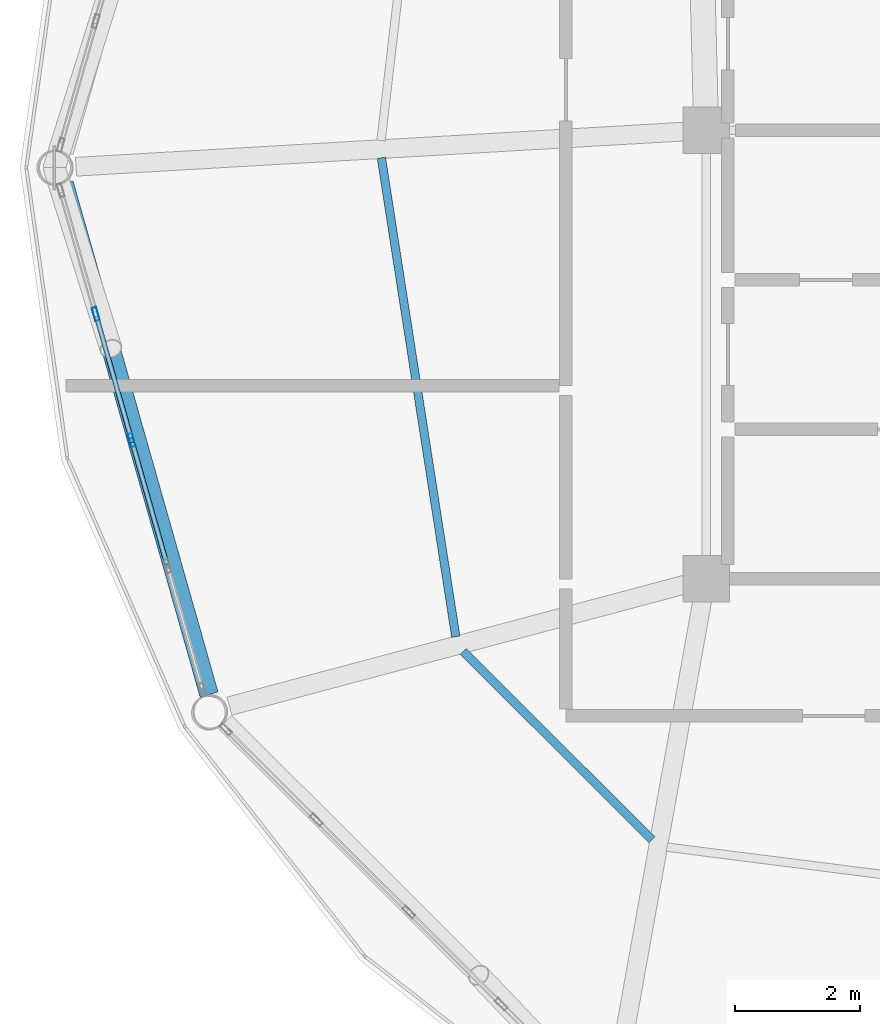
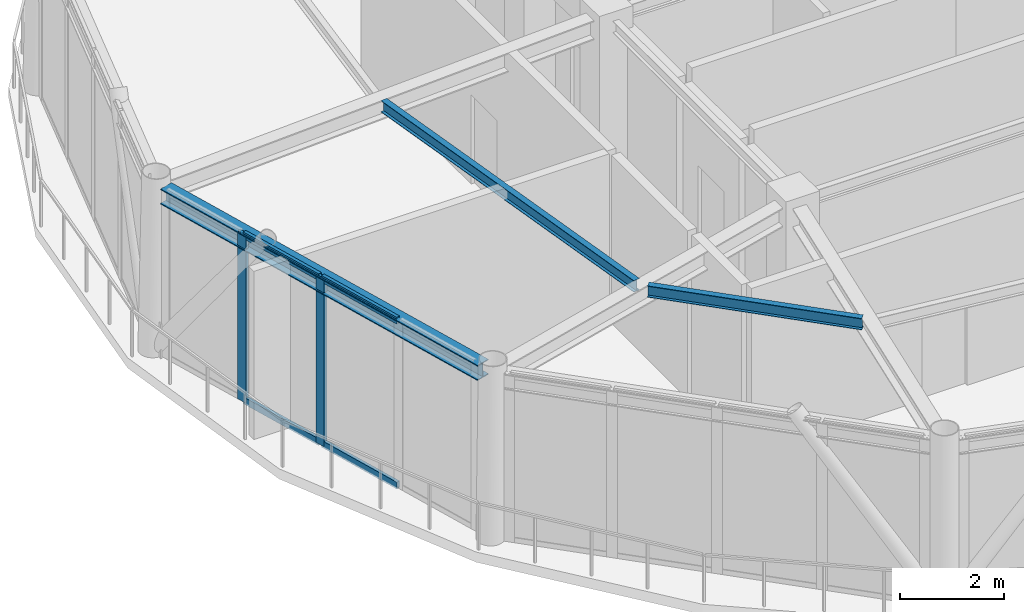
# One storey, part 4 of 21: 6 members, 3 beams, 1 element without a shape of its own.
"""IFC4 building model written with IfcOpenShell, lengths in metres."""

from ifc_helpers import new_model, si_unit, direction, frame, origin, origin_2d, place, context, subcontext, project, spatial, hollow_rectangle, i_section, extrude, material, layer, layer_set, material_profile, profile_set, type_object, element, aggregate, save


model = new_model("IFC4")

# Units and contexts
model_context = context("Model", 3, precision=1e-05, world=origin(), true_north=direction((0.0, 1.0)))
body_context = subcontext(model_context, "Body", "Model", "MODEL_VIEW")
ifc_project = project(units=[si_unit("LENGTHUNIT", "METRE"), si_unit("AREAUNIT", "SQUARE_METRE"), si_unit("VOLUMEUNIT", "CUBIC_METRE"), si_unit("PLANEANGLEUNIT", "RADIAN"), si_unit("MASSUNIT", "GRAM", prefix="KILO")], contexts=[model_context])

# Site, building, storey
site_placement = place(None, origin())
site = spatial("IfcSite", under=ifc_project, at=site_placement, CompositionType="ELEMENT")
building_placement = place(site_placement, origin())
building = spatial("IfcBuilding", under=site, at=building_placement, Name="Varnakorn Sky Granary", CompositionType="ELEMENT")
storey_placement = place(building_placement, frame((0.0, 0.0, 294.0)))
storey = spatial("IfcBuildingStorey", under=building, at=storey_placement, Name="L75", CompositionType="ELEMENT", Elevation=294.0)

# Beams
ifc_material_1 = material(Name="Steel S355JR", Category="steel")
ifc_material_profile_1 = material_profile(ifc_material_1, i_section(OverallWidth=0.135009765625, OverallDepth=0.27001953125, WebThickness=0.006591796875, FlangeThickness=0.01025390625, at=origin_2d()), Name="IPE 270")
ifc_profile_set_1 = profile_set([ifc_material_profile_1], Name="Steel S355JR")
beam_type_1 = type_object("IfcBeamType", Name="BM-SEC-Z5", PredefinedType="BEAM", material=ifc_profile_set_1)
beam_1_placement = place(storey_placement, frame((-7.563232421875, 0.1591796875, 3.824951171875), z_axis=(0.153540196151, -0.988142402777, 0.0), x_axis=(0.988142402777, 0.153540196151, 0.0)))
element("IfcBeam", 1, at=beam_1_placement, inside=storey, type_object=beam_type_1, Name="Secondary Floor Chord Beam MSB07 L75", PredefinedType="BEAM", context=body_context, shape_type="SweptSolid", body=[
    extrude(i_section(OverallWidth=0.135009765625, OverallDepth=0.27001953125, WebThickness=0.006591796875, FlangeThickness=0.01025390625, at=origin_2d()), origin(), (0.0, 0.0, 1.0), 7.7802734375),
])
beam_2_placement = place(storey_placement, frame((-6.248046875, -7.76611328125, 3.824951171875), z_axis=(0.707876350734, -0.706336373176, 0.0), x_axis=(0.706336373176, 0.707876350734, 0.0)))
element("IfcBeam", 2, at=beam_2_placement, inside=storey, type_object=beam_type_1, Name="Secondary Floor Chord Beam MSB08 L75", PredefinedType="BEAM", context=body_context, shape_type="SweptSolid", body=[
    extrude(i_section(OverallWidth=0.135009765625, OverallDepth=0.27001953125, WebThickness=0.006591796875, FlangeThickness=0.01025390625, at=origin_2d()), origin(), (0.0, 0.0, 1.0), 4.280517578125),
])
ifc_material_profile_2 = material_profile(ifc_material_1, i_section(OverallWidth=0.300048828125, OverallDepth=0.360107421875, WebThickness=0.012451171875, FlangeThickness=0.0224609375, at=origin_2d()), Name="HE 360 B")
ifc_profile_set_2 = profile_set([ifc_material_profile_2], Name="Steel S355JR")
beam_type_2 = type_object("IfcBeamType", Name="BM-SPD-Z5", PredefinedType="SPANDREL", material=ifc_profile_set_2)
beam_3_placement = place(storey_placement, frame((-12.65673828125, -0.25439453125, 3.780029296875), z_axis=(0.273003685575, -0.962012987263, 0.0), x_axis=(0.962012987263, 0.273003685575, 0.0)))
element("IfcBeam", 3, at=beam_3_placement, inside=storey, type_object=beam_type_2, Name="Perimeter Spandrel Ring Beam RB07 L75", PredefinedType="SPANDREL", context=body_context, shape_type="SweptSolid", body=[
    extrude(i_section(OverallWidth=0.300048828125, OverallDepth=0.360107421875, WebThickness=0.012451171875, FlangeThickness=0.0224609375, at=origin_2d()), origin(), (0.0, 0.0, 1.0), 8.526123046875),
])

# Curtain wall, members
ifc_material_2 = material(Name="Anodised Bronze Aluminium Alloy 6063-T6", Category="aluminium")
ifc_layer = layer(ifc_material_2, 0.22998046875, Name="Anodised Bronze Aluminium Alloy 6063-T6")
ifc_layer_set = layer_set([ifc_layer], Name="Anodised Bronze Aluminium Alloy 6063-T6")
curtain_wall_type = type_object("IfcCurtainWallType", Name="CW-LNT-1", PredefinedType="USERDEFINED", material=ifc_layer_set)
curtain_wall_placement = place(storey_placement, origin())
curtain_wall = element("IfcCurtainWall", 4, at=curtain_wall_placement, inside=storey, type_object=curtain_wall_type, Name="Unitised Curtain Wall CW7 CW-L75-B07", ObjectType="CURTAIN WALL", PredefinedType="USERDEFINED")
ifc_material_profile_3 = material_profile(ifc_material_2, hollow_rectangle(XDim=0.074951171875, YDim=0.219970703125, WallThickness=0.00390625, at=origin_2d()), Name="ALU MULL 75x220")
ifc_profile_set_3 = profile_set([ifc_material_profile_3], Name="Anodised Bronze Aluminium Alloy 6063-T6")
member_type_1 = type_object("IfcMemberType", Name="CW-LNT-1-MULL", PredefinedType="MULLION", material=ifc_profile_set_3)
member_1_placement = place(storey_placement, frame((-11.572265625, -4.37353515625, 0.0), z_axis=(0.0, 0.0, 1.0), x_axis=(-0.961978305633, -0.273125867489, 0.0)))
member_1 = element("IfcMember", 5, at=member_1_placement, type_object=member_type_1, Name="CW7 mullion 3", PredefinedType="MULLION", context=body_context, shape_type="SweptSolid", body=[
    extrude(hollow_rectangle(XDim=0.074951171875, YDim=0.219970703125, WallThickness=0.00390625, at=origin_2d()), origin(), (0.0, 0.0, 1.0), 3.9599609375),
])
member_2_placement = place(storey_placement, frame((-12.146728515625, -2.35009765625, 0.0), z_axis=(0.0, 0.0, 1.0), x_axis=(-0.961978305633, -0.273125867489, 0.0)))
member_2 = element("IfcMember", 6, at=member_2_placement, type_object=member_type_1, Name="CW7 mullion 4", PredefinedType="MULLION", context=body_context, shape_type="SweptSolid", body=[
    extrude(hollow_rectangle(XDim=0.074951171875, YDim=0.219970703125, WallThickness=0.00390625, at=origin_2d()), origin(), (0.0, 0.0, 1.0), 3.9599609375),
])
ifc_material_profile_4 = material_profile(ifc_material_2, hollow_rectangle(XDim=0.074951171875, YDim=0.159912109375, WallThickness=0.00390625, at=origin_2d()), Name="ALU TRAN 75x160")
ifc_profile_set_4 = profile_set([ifc_material_profile_4], Name="Anodised Bronze Aluminium Alloy 6063-T6")
member_type_2 = type_object("IfcMemberType", Name="CW-LNT-1-TRAN", PredefinedType="USERDEFINED", material=ifc_profile_set_4)
member_3_placement = place(storey_placement, frame((-11.008056640625, -6.36083984375, 0.03759765625), z_axis=(-0.273115080632, 0.961981368183, 0.0), x_axis=(-0.961981368183, -0.273115080632, 0.0)))
member_3 = element("IfcMember", 7, at=member_3_placement, type_object=member_type_2, Name="CW7 transom 2.1", ObjectType="TRANSOM", PredefinedType="USERDEFINED", context=body_context, shape_type="SweptSolid", body=[
    extrude(hollow_rectangle(XDim=0.074951171875, YDim=0.159912109375, WallThickness=0.00390625, at=origin_2d()), origin(), (0.0, 0.0, 1.0), 2.0283203125),
])
member_4_placement = place(storey_placement, frame((-11.008056640625, -6.36083984375, 3.922607421875), z_axis=(-0.273115080632, 0.961981368183, 0.0), x_axis=(-0.961981368183, -0.273115080632, 0.0)))
member_4 = element("IfcMember", 8, at=member_4_placement, type_object=member_type_2, Name="CW7 transom 2.2", ObjectType="TRANSOM", PredefinedType="USERDEFINED", context=body_context, shape_type="SweptSolid", body=[
    extrude(hollow_rectangle(XDim=0.074951171875, YDim=0.159912109375, WallThickness=0.00390625, at=origin_2d()), origin(), (0.0, 0.0, 1.0), 2.0283203125),
])
member_5_placement = place(storey_placement, frame((-11.58251953125, -4.33740234375, 0.03759765625), z_axis=(-0.273115080632, 0.961981368183, 0.0), x_axis=(-0.961981368183, -0.273115080632, 0.0)))
member_5 = element("IfcMember", 9, at=member_5_placement, type_object=member_type_2, Name="CW7 transom 3.1", ObjectType="TRANSOM", PredefinedType="USERDEFINED", context=body_context, shape_type="SweptSolid", body=[
    extrude(hollow_rectangle(XDim=0.074951171875, YDim=0.159912109375, WallThickness=0.00390625, at=origin_2d()), origin(), (0.0, 0.0, 1.0), 2.0283203125),
])
member_6_placement = place(storey_placement, frame((-11.58251953125, -4.33740234375, 3.922607421875), z_axis=(-0.273115080632, 0.961981368183, 0.0), x_axis=(-0.961981368183, -0.273115080632, 0.0)))
member_6 = element("IfcMember", 10, at=member_6_placement, type_object=member_type_2, Name="CW7 transom 3.2", ObjectType="TRANSOM", PredefinedType="USERDEFINED", context=body_context, shape_type="SweptSolid", body=[
    extrude(hollow_rectangle(XDim=0.074951171875, YDim=0.159912109375, WallThickness=0.00390625, at=origin_2d()), origin(), (0.0, 0.0, 1.0), 2.0283203125),
])
aggregate(curtain_wall, [member_1, member_2, member_3, member_4, member_5, member_6])

save(model, "model.ifc")
